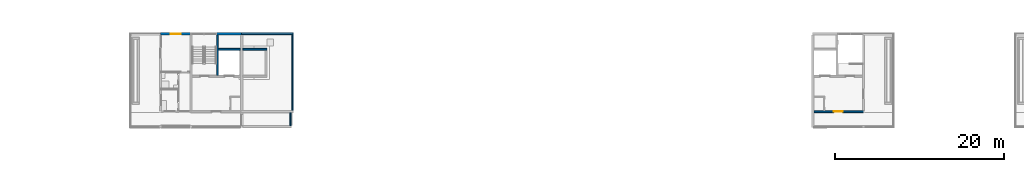
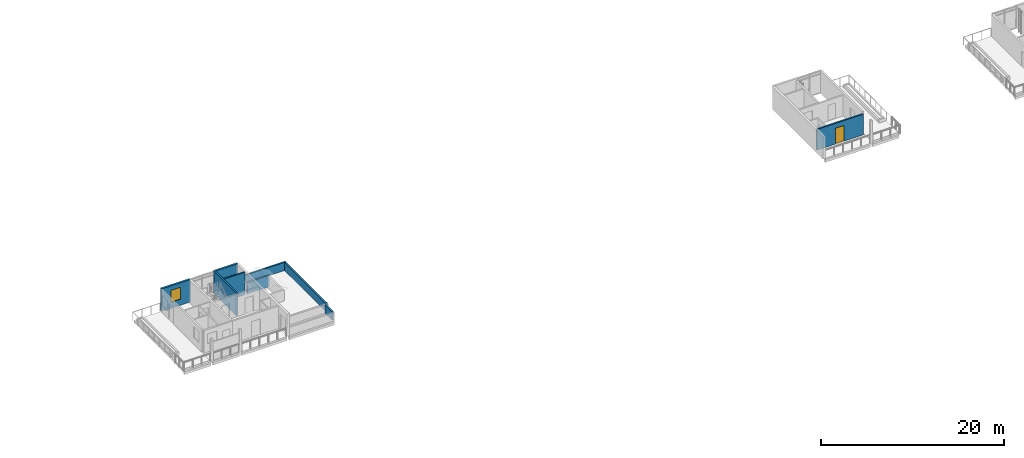
# One storey, part 23 of 33: 9 walls, 1 door, 1 window, 2 openings.
"""IFC4 building model written with IfcOpenShell, lengths in metres."""

from ifc_helpers import new_model, si_unit, direction, frame, frame_2d, origin, place, context, subcontext, project, spatial, rectangle, extrude, material, layer, layer_set, type_object, element, fill, save


model = new_model("IFC4")

# Units and contexts
model_context = context("Model", 3, precision=1e-05, world=origin(), true_north=direction((0.0, 1.0)))
body_context = subcontext(model_context, "Body", "Model", "MODEL_VIEW")
ifc_project = project(units=[si_unit("LENGTHUNIT", "METRE"), si_unit("AREAUNIT", "SQUARE_METRE"), si_unit("VOLUMEUNIT", "CUBIC_METRE"), si_unit("PLANEANGLEUNIT", "RADIAN"), si_unit("MASSUNIT", "GRAM", prefix="KILO")], contexts=[model_context])

# Site, building, storey
site_placement = place(None, origin())
site = spatial("IfcSite", under=ifc_project, at=site_placement, CompositionType="ELEMENT")
building_placement = place(site_placement, origin())
building = spatial("IfcBuilding", under=site, at=building_placement, Name="Ridgestep Commons", CompositionType="ELEMENT")
storey_placement = place(building_placement, frame((0.0, 0.0, 42.0)))
storey = spatial("IfcBuildingStorey", under=building, at=storey_placement, Name="L14", CompositionType="ELEMENT", Elevation=42.0)

# Wall, opening, door
ifc_material_1 = material(Name="Concrete C30/37", Category="concrete")
ifc_layer_1 = layer(ifc_material_1, 0.199951171875)
ifc_layer_set_1 = layer_set([ifc_layer_1], Name="Core south wall 200")
wall_type_1 = type_object("IfcWallType", Name="Core south wall 200", PredefinedType="SHEAR", material=ifc_layer_set_1)
wall_1_placement = place(storey_placement, frame((163.75, 13.64990234375, 0.0), z_axis=(0.0, 0.0, 1.0), x_axis=(1.0, 0.0, 0.0)))
wall_1 = element("IfcWall", 1, at=wall_1_placement, inside=storey, type_object=wall_type_1, Name="Core south wall D2C L14", PredefinedType="SHEAR", context=body_context, shape_type="SweptSolid", body=[
    extrude(rectangle(XDim=5.85009765625, YDim=0.199951171875, at=frame_2d((2.925048828125, 0.0))), origin(), (0.0, 0.0, 1.0), 2.75),
])
opening_1_placement = place(wall_1_placement, frame((2.3125, 0.0, 0.0)))
opening_1 = element("IfcOpeningElement", 2, at=opening_1_placement, cuts=wall_1, Name="Opening D2C/14/1", PredefinedType="OPENING", context=body_context, shape_type="SweptSolid", body=[
    extrude(rectangle(XDim=1.10009765625, YDim=2.10009765625, at=frame_2d((0.550048828125, 1.050048828125))), frame((0.0, 0.10986328125, 0.0), z_axis=(0.0, -1.0, 0.0), x_axis=(1.0, 0.0, 0.0)), (0.0, 0.0, 1.0), 0.219970703125),
])
ifc_material_2 = material(Name="Steel fire door", Category="steel")
door_type = type_object("IfcDoorType", Name="Lobby door 1100 x 2100 FD60", OperationType="NOTDEFINED", PredefinedType="DOOR", material=ifc_material_2)
door_placement = place(opening_1_placement, origin())
door = element("IfcDoor", 3, at=door_placement, inside=storey, type_object=door_type, Name="Lobby door D2C/14/1", OperationType="SINGLE_SWING_LEFT", OverallHeight=2.10009765625, OverallWidth=1.10009765625, PredefinedType="DOOR", context=body_context, shape_type="SweptSolid", body=[
    extrude(rectangle(XDim=1.10009765625, YDim=2.10009765625, at=frame_2d((0.550048828125, 1.050048828125))), frame((0.0, 0.02490234375, 0.0), z_axis=(0.0, -1.0, 0.0), x_axis=(1.0, 0.0, 0.0)), (0.0, 0.0, 1.0), 0.050048828125),
])
fill(opening_1, door)

# Walls
ifc_material_3 = material(Name="Concrete C30/37", Category="concrete")
ifc_layer_2 = layer(ifc_material_3, 0.199951171875)
ifc_layer_set_2 = layer_set([ifc_layer_2], Name="Core wall 200")
wall_type_2 = type_object("IfcWallType", Name="Core wall 200", PredefinedType="SHEAR", material=ifc_layer_set_2)
wall_2_placement = place(storey_placement, frame((93.125, 17.949951171875, 0.0), z_axis=(0.0, 0.0, 1.0), x_axis=(0.0, 1.0, 0.0)))
element("IfcWall", 4, at=wall_2_placement, inside=storey, type_object=wall_type_2, Name="Core stair wall A5C L14", PredefinedType="SHEAR", context=body_context, shape_type="SweptSolid", body=[
    extrude(rectangle(XDim=4.800048828125, YDim=0.199951171875, at=frame_2d((2.39990234375, 0.0))), origin(), (0.0, 0.0, 1.0), 3.0),
])
wall_3_placement = place(storey_placement, frame((93.22509765625, 21.050048828125, 0.0), z_axis=(0.0, 0.0, 1.0), x_axis=(1.0, 0.0, 0.0)))
element("IfcWall", 5, at=wall_3_placement, inside=storey, type_object=wall_type_2, Name="Core duct wall A5C L14", PredefinedType="SHEAR", context=body_context, shape_type="SweptSolid", body=[
    extrude(rectangle(XDim=2.625, YDim=0.199951171875, at=frame_2d((1.3125, 0.0))), origin(), (0.0, 0.0, 1.0), 3.0),
])
ifc_material_4 = material(Name="Concrete C30/37", Category="concrete")
ifc_layer_3 = layer(ifc_material_4, 0.199951171875)
ifc_layer_set_3 = layer_set([ifc_layer_3], Name="Lift overrun wall 200")
wall_type_3 = type_object("IfcWallType", Name="Lift overrun wall 200", PredefinedType="SHEAR", material=ifc_layer_set_3)
wall_4_placement = place(storey_placement, frame((96.14990234375, 21.050048828125, 0.0), z_axis=(0.0, 0.0, 1.0), x_axis=(1.0, 0.0, 0.0)))
element("IfcWall", 6, at=wall_4_placement, inside=storey, type_object=wall_type_3, Name="Lift overrun wall A6C", PredefinedType="SHEAR", context=body_context, shape_type="SweptSolid", body=[
    extrude(rectangle(XDim=2.8251953125, YDim=0.199951171875, at=frame_2d((1.41259765625, 0.0))), origin(), (0.0, 0.0, 1.0), 1.5),
])

# Wall, opening, window
ifc_material_5 = material(Name="Precast concrete C40/50", Category="concrete")
ifc_layer_4 = layer(ifc_material_5, 0.25)
ifc_layer_set_4 = layer_set([ifc_layer_4], Name="North facade panel 250")
wall_type_4 = type_object("IfcWallType", Name="North facade panel 250", PredefinedType="SOLIDWALL", material=ifc_layer_set_4)
wall_5_placement = place(storey_placement, frame((86.39990234375, 22.875, 0.0), z_axis=(0.0, 0.0, 1.0), x_axis=(1.0, 0.0, 0.0)))
wall_5 = element("IfcWall", 7, at=wall_5_placement, inside=storey, type_object=wall_type_4, Name="North panel A5T3 L14", PredefinedType="SOLIDWALL", context=body_context, shape_type="SweptSolid", body=[
    extrude(rectangle(XDim=3.60009765625, YDim=0.25, at=frame_2d((1.800048828125, 0.0))), origin(), (0.0, 0.0, 1.0), 3.0),
])
opening_2_placement = place(wall_5_placement, frame((1.1875, 0.0, 0.800048828125)))
opening_2 = element("IfcOpeningElement", 8, at=opening_2_placement, cuts=wall_5, Name="Opening W11", PredefinedType="OPENING", context=body_context, shape_type="SweptSolid", body=[
    extrude(rectangle(XDim=1.199951171875, YDim=1.60009765625, at=frame_2d((0.60009765625, 0.800048828125))), frame((0.0, 0.135009765625, 0.0), z_axis=(0.0, -1.0, 0.0), x_axis=(1.0, 0.0, 0.0)), (0.0, 0.0, 1.0), 0.27001953125),
])
ifc_material_6 = material(Name="Aluminium 6063-T6 and glass", Category="aluminium")
window_type = type_object("IfcWindowType", Name="Flat window 1200 x 1600", PartitioningType="SINGLE_PANEL", PredefinedType="WINDOW", material=ifc_material_6)
window_placement = place(opening_2_placement, origin())
window = element("IfcWindow", 9, at=window_placement, inside=storey, type_object=window_type, Name="Window A5-14a 2", OverallHeight=1.60009765625, OverallWidth=1.199951171875, PartitioningType="SINGLE_PANEL", PredefinedType="WINDOW", context=body_context, shape_type="SweptSolid", body=[
    extrude(rectangle(XDim=1.199951171875, YDim=1.60009765625, at=frame_2d((0.60009765625, 0.800048828125))), frame((0.0, -0.02490234375, 0.0), z_axis=(0.0, -1.0, 0.0), x_axis=(1.0, 0.0, 0.0)), (0.0, 0.0, 1.0), 0.06005859375),
])
fill(opening_2, window)

# Walls
wall_6_placement = place(storey_placement, frame((93.02490234375, 22.875, 0.0), z_axis=(0.0, 0.0, 1.0), x_axis=(1.0, 0.0, 0.0)))
element("IfcWall", 10, at=wall_6_placement, inside=storey, type_object=wall_type_4, Name="North panel A5C L14", PredefinedType="SOLIDWALL", context=body_context, shape_type="SweptSolid", body=[
    extrude(rectangle(XDim=2.97509765625, YDim=0.25, at=frame_2d((1.487548828125, 0.0))), origin(), (0.0, 0.0, 1.0), 3.0),
])
ifc_material_7 = material(Name="Precast concrete C40/50", Category="concrete")
ifc_layer_5 = layer(ifc_material_7, 0.199951171875)
ifc_layer_set_5 = layer_set([ifc_layer_5], Name="Parapet wall 200")
wall_type_5 = type_object("IfcWallType", Name="Parapet wall 200", PredefinedType="PARAPET", material=ifc_layer_set_5)
wall_7_placement = place(storey_placement, frame((95.89990234375, 22.875, 0.0), z_axis=(0.0, 0.0, 1.0), x_axis=(1.0, 0.0, 0.0)))
element("IfcWall", 11, at=wall_7_placement, inside=storey, type_object=wall_type_5, Name="Parapet A6C north", PredefinedType="PARAPET", context=body_context, shape_type="SweptSolid", body=[
    extrude(rectangle(XDim=6.2001953125, YDim=0.199951171875, at=frame_2d((3.10009765625, 0.0))), origin(), (0.0, 0.0, 1.0), 1.10009765625),
])
wall_8_placement = place(storey_placement, frame((102.0, 13.75, 0.0), z_axis=(0.0, 0.0, 1.0), x_axis=(0.0, 1.0, 0.0)))
element("IfcWall", 12, at=wall_8_placement, inside=storey, type_object=wall_type_5, Name="Parapet A6C east", PredefinedType="PARAPET", context=body_context, shape_type="SweptSolid", body=[
    extrude(rectangle(XDim=9.02490234375, YDim=0.199951171875, at=frame_2d((4.512451171875, 0.0))), origin(), (0.0, 0.0, 1.0), 1.10009765625),
])
wall_9_placement = place(storey_placement, frame((101.77490234375, 11.97509765625, 0.0), z_axis=(0.0, 0.0, 1.0), x_axis=(0.0, 1.0, 0.0)))
element("IfcWall", 13, at=wall_9_placement, inside=storey, type_object=wall_type_5, Name="Parapet A6C gallery east", PredefinedType="PARAPET", context=body_context, shape_type="SweptSolid", body=[
    extrude(rectangle(XDim=1.574951171875, YDim=0.199951171875, at=frame_2d((0.78759765625, 0.0))), origin(), (0.0, 0.0, 1.0), 1.10009765625),
])

save(model, "model.ifc")
